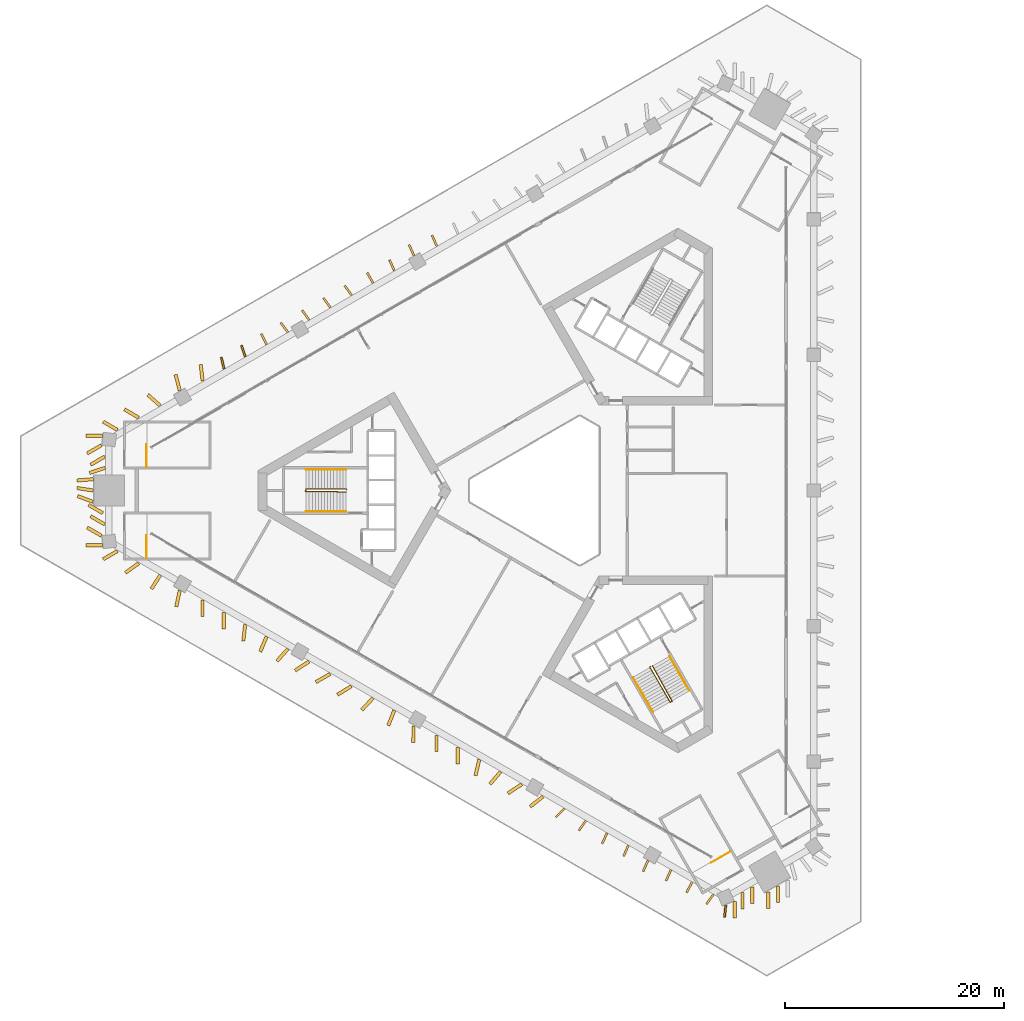
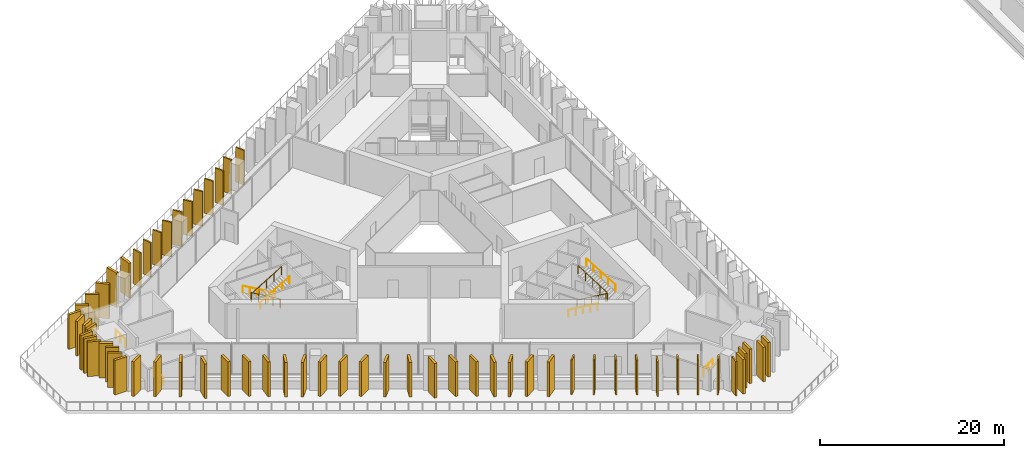
# One storey, part 28 of 31: 62 shading devices, 9 railings.
"""IFC4 building model written with IfcOpenShell, lengths in metres."""

import ifcopenshell
import ifcopenshell.guid

model = None  # the IFC model being written
_history = None  # IfcOwnerHistory: only IFC2X3 demands one
_inside = {}  # id of a spatial element -> (the spatial element, [elements in it])
_under = {}  # id of a project, library or spatial element -> (it, [spatial elements below it])
_declared = {}  # id of a project -> (the project, [libraries it declares])
_typed = {}  # id of a type object -> (the type object, [elements of that type])
_made_of = {}  # id of a material, layer set ... -> (it, [elements and type objects made of it])


def new_model(schema):
    """Start an empty IFC model of exactly this schema.

    Asked for "IFC4X3", IfcOpenShell would pick the latest addendum, in which some entities
    have other attributes; the version numbers below select the first issue.
    IFC2X3 requires an IfcOwnerHistory on every rooted entity: one is made here for all.
    """
    global model, _history
    if schema == "IFC4X3":
        model = ifcopenshell.file(schema_version=(4, 3, 0, 0))
    else:
        model = ifcopenshell.file(schema=schema)
    _inside.clear()
    _under.clear()
    _declared.clear()
    _typed.clear()
    _made_of.clear()
    _history = None
    if model.schema == "IFC2X3":
        org = make("IfcOrganization", Name="unknown")
        user = make(
            "IfcPersonAndOrganization",
            ThePerson=make("IfcPerson", FamilyName="unknown"),
            TheOrganization=org,
        )
        app = make(
            "IfcApplication",
            ApplicationDeveloper=org,
            Version="unknown",
            ApplicationFullName="unknown",
            ApplicationIdentifier="unknown",
        )
        _history = make(
            "IfcOwnerHistory",
            OwningUser=user,
            OwningApplication=app,
            ChangeAction="ADDED",
            CreationDate=0,
        )
    return model


def make(cls, **values):
    """One entity of the class cls with the attributes given. An attribute that is None is left unset."""
    return model.create_entity(
        cls, **{name: value for name, value in values.items() if value is not None}
    )


def rooted(cls, **values):
    """An entity with a GlobalId (a new one), such as an element, a storey or a relation."""
    return make(cls, GlobalId=ifcopenshell.guid.new(), OwnerHistory=_history, **values)


def si_unit(unit_type, name, prefix=None):
    """IfcSIUnit, for example si_unit("LENGTHUNIT", "METRE", prefix="MILLI")."""
    return make("IfcSIUnit", UnitType=unit_type, Prefix=prefix, Name=name)


def assignment(units):
    """IfcUnitAssignment: the units of a project."""
    return None if units is None else make("IfcUnitAssignment", Units=units)


def point(xyz):
    """IfcCartesianPoint."""
    return None if xyz is None else make("IfcCartesianPoint", Coordinates=xyz)


def direction(xyz):
    """IfcDirection."""
    return None if xyz is None else make("IfcDirection", DirectionRatios=xyz)


def frame(location, z_axis=None, x_axis=None):
    """IfcAxis2Placement3D, a coordinate frame: its origin and axes. An axis left out is left unset."""
    return make(
        "IfcAxis2Placement3D",
        Location=point(location),
        Axis=direction(z_axis),
        RefDirection=direction(x_axis),
    )


def frame_2d(location, x_axis=None):
    """IfcAxis2Placement2D, a coordinate frame in the plane: its origin and x axis."""
    return make(
        "IfcAxis2Placement2D", Location=point(location), RefDirection=direction(x_axis)
    )


def origin():
    """The frame at (0, 0, 0) with its axes left unset."""
    return frame((0.0, 0.0, 0.0))


def origin_2d():
    """The frame at (0, 0) in the plane with its x axis left unset."""
    return frame_2d((0.0, 0.0))


def place(relative_to, where):
    """IfcLocalPlacement: puts the frame where relative to a parent placement (None: the world)."""
    return make(
        "IfcLocalPlacement", PlacementRelTo=relative_to, RelativePlacement=where
    )


def context(
    kind, dimensions, precision=None, world=None, true_north=None, identifier=None
):
    """IfcGeometricRepresentationContext, for example the 3D "Model" context."""
    return make(
        "IfcGeometricRepresentationContext",
        ContextIdentifier=identifier,
        ContextType=kind,
        CoordinateSpaceDimension=dimensions,
        Precision=precision,
        WorldCoordinateSystem=world,
        TrueNorth=true_north,
    )


def subcontext(parent, identifier, kind, view, scale=None):
    """IfcGeometricRepresentationSubContext, for example "Body" below "Model"."""
    return make(
        "IfcGeometricRepresentationSubContext",
        ContextIdentifier=identifier,
        ContextType=kind,
        ParentContext=parent,
        TargetScale=scale,
        TargetView=view,
    )


def project(units=None, contexts=None):
    """IfcProject with its units and contexts."""
    return rooted(
        "IfcProject",
        Name="project",
        RepresentationContexts=contexts,
        UnitsInContext=assignment(units),
    )


def spatial(cls, under=None, at=None, **own):
    """A site, building, storey or space (cls), placed at a placement, below another one or the project."""
    s = rooted(cls, ObjectPlacement=at, **own)
    if under is not None:
        _under.setdefault(under.id(), (under, []))[1].append(s)
    return s


def profile(cls, at=None, kind="AREA", **sizes):
    """A parametric profile (cls). Its sizes go by their IFC names, for example OverallWidth=200.0."""
    return make(cls, ProfileType=kind, Position=at, **sizes)


def rectangle(**sizes):
    """IfcRectangleProfileDef."""
    return profile("IfcRectangleProfileDef", **sizes)


def circle(**sizes):
    """IfcCircleProfileDef."""
    return profile("IfcCircleProfileDef", **sizes)


def extrude(swept, where, along, depth):
    """IfcExtrudedAreaSolid: the profile swept, set in the frame where, extruded along a direction by depth."""
    return make(
        "IfcExtrudedAreaSolid",
        SweptArea=swept,
        Position=where,
        ExtrudedDirection=direction(along),
        Depth=depth,
    )


def shape(context_of_items, identifier, shape_type, items):
    """IfcShapeRepresentation: the items that make up one representation, for example the "Body"."""
    return make(
        "IfcShapeRepresentation",
        ContextOfItems=context_of_items,
        RepresentationIdentifier=identifier,
        RepresentationType=shape_type,
        Items=items,
    )


def material(Name=None, Category=None):
    """IfcMaterial."""
    return make("IfcMaterial", Name=Name, Category=Category)


def layer(
    of_material, thickness, ventilated=None, Name=None, Category=None, Priority=None
):
    """IfcMaterialLayer: one layer of a wall or slab, of a material (None: an air gap)."""
    return make(
        "IfcMaterialLayer",
        Material=of_material,
        LayerThickness=thickness,
        IsVentilated=ventilated,
        Name=Name,
        Category=Category,
        Priority=Priority,
    )


def layer_set(layers, Name=None):
    """IfcMaterialLayerSet."""
    return make("IfcMaterialLayerSet", MaterialLayers=layers, LayerSetName=Name)


def made_of(thing, what):
    """Note that an element or type object is made of a material, layer set ...; save() writes the relation."""
    if what is not None:
        _made_of.setdefault(what.id(), (what, []))[1].append(thing)
    return thing


def type_object(cls, material=None, **own):
    """A type object (cls), such as IfcWallType, which elements share."""
    return made_of(rooted(cls, **own), material)


def element(
    cls,
    number,
    at=None,
    inside=None,
    cuts=None,
    type_object=None,
    material=None,
    context=None,
    identifier="Body",
    shape_type=None,
    held_by="IfcProductDefinitionShape",
    body=None,
    shapes=None,
    **own,
):
    """One element of the class cls, such as IfcWall. Its Tag is "e" and its number.

    at: its placement. inside: the storey or other place that contains it. cuts: it is an
    opening in that element (IfcRelVoidsElement). A single representation is given by context,
    identifier, shape_type and body (its items); several are given by shapes. held_by: the class
    of the entity that holds the representations. save() writes the other relations.
    """
    e = rooted(cls, Tag="e%d" % number, ObjectPlacement=at, **own)
    if body is not None:
        shapes = [shape(context, identifier, shape_type, body)]
    if shapes is not None:
        e.Representation = make(held_by, Representations=shapes)
    if inside is not None:
        _inside.setdefault(inside.id(), (inside, []))[1].append(e)
    if cuts is not None:
        rooted(
            "IfcRelVoidsElement", RelatingBuildingElement=cuts, RelatedOpeningElement=e
        )
    if type_object is not None:
        _typed.setdefault(type_object.id(), (type_object, []))[1].append(e)
    return made_of(e, material)


def aggregate(whole, parts):
    """IfcRelAggregates: a whole, such as a stair, and the parts it consists of."""
    return rooted("IfcRelAggregates", RelatingObject=whole, RelatedObjects=parts)


def save(model, path):
    """Write the relations noted so far, then the file.

    IfcRelAggregates (storeys below a building ...), IfcRelContainedInSpatialStructure (elements
    in a storey), IfcRelDefinesByType, IfcRelAssociatesMaterial and IfcRelDeclares: one each for
    every whole, place, type object, material and project.
    """
    for whole, parts in _under.values():
        aggregate(whole, parts)
    for where, things in _inside.values():
        rooted(
            "IfcRelContainedInSpatialStructure",
            RelatedElements=things,
            RelatingStructure=where,
        )
    for kind, things in _typed.values():
        rooted("IfcRelDefinesByType", RelatedObjects=things, RelatingType=kind)
    for what, things in _made_of.values():
        rooted("IfcRelAssociatesMaterial", RelatedObjects=things, RelatingMaterial=what)
    for by, libraries in _declared.values():
        rooted("IfcRelDeclares", RelatingContext=by, RelatedDefinitions=libraries)
    model.write(path)


model = new_model("IFC4")

# Units and contexts
model_context = context("Model", 3, precision=1e-05, world=origin(), true_north=direction((0.0, 1.0)))
body_context = subcontext(model_context, "Body", "Model", "MODEL_VIEW")
ifc_project = project(units=[si_unit("LENGTHUNIT", "METRE"), si_unit("AREAUNIT", "SQUARE_METRE"), si_unit("VOLUMEUNIT", "CUBIC_METRE"), si_unit("PLANEANGLEUNIT", "RADIAN"), si_unit("MASSUNIT", "GRAM", prefix="KILO")], contexts=[model_context])

# Site, building, storey
site_placement = place(None, origin())
site = spatial("IfcSite", under=ifc_project, at=site_placement, CompositionType="ELEMENT")
building_placement = place(site_placement, origin())
building = spatial("IfcBuilding", under=site, at=building_placement, Name="Jabali Bay Hotel Tower and Convention Centre", CompositionType="ELEMENT")
storey_placement = place(building_placement, frame((0.0, 0.0, 25.39990234375)))
storey = spatial("IfcBuildingStorey", under=building, at=storey_placement, Name="L04", CompositionType="ELEMENT", Elevation=25.39990234375)

# Shading devices
ifc_material_1 = material(Name="Precast concrete C60", Category="concrete")
ifc_layer_1 = layer(ifc_material_1, 0.179931640625)
ifc_layer_set_1 = layer_set([ifc_layer_1], Name="Precast concrete C60")
shading_device_type_1 = type_object("IfcShadingDeviceType", Name="Precast fin 4580 x 1100", PredefinedType="USERDEFINED", material=ifc_layer_set_1)
shading_device_1_placement = place(storey_placement, frame((64.7197265625, 102.291015625, 0.010009765625), z_axis=(0.0, 0.0, 1.0), x_axis=(-0.406097286264, 0.913829849638, 0.0)))
element("IfcShadingDevice", 1, at=shading_device_1_placement, inside=storey, type_object=shading_device_type_1, Name="Fin L04 051", ObjectType="FIN", PredefinedType="USERDEFINED", context=body_context, shape_type="SweptSolid", body=[
    extrude(rectangle(XDim=1.10009765625, YDim=0.179931640625, at=frame_2d((0.550048828125, 0.0))), origin(), (0.0, 0.0, 1.0), 4.580078125),
])
for number, where, z_axis, x_axis, name in (
    (2, (62.6240234375, 101.43603515625, 0.010009765625), (0.0, 0.0, 1.0), (-0.40617965337, 0.913793242035, 0.0), "Fin L04 052"),
    (3, (60.83544921875, 100.048583984375, 0.010009765625), (0.0, 0.0, 1.0), (-0.40617965337, 0.913793242035, 0.0), "Fin L04 053"),
):
    element("IfcShadingDevice", number, at=place(storey_placement, frame(where, z_axis=z_axis, x_axis=x_axis)), inside=storey, type_object=shading_device_type_1, Name=name, ObjectType="FIN", PredefinedType="USERDEFINED", context=body_context, shape_type="SweptSolid", body=[
        extrude(rectangle(XDim=1.099853515625, YDim=0.179931640625, at=frame_2d((0.5498046875, 0.0))), origin(), (0.0, 0.0, 1.0), 4.580078125),
    ])
for number, where, z_axis, x_axis, name in (
    (4, (58.8974609375, 98.919921875, 0.010009765625), (0.0, 0.0, 1.0), (-0.489143919777, 0.872203087443, 0.0), "Fin L04 054"),
    (5, (56.951171875, 97.805908203125, 0.010009765625), (0.0, 0.0, 1.0), (-0.589042341197, 0.808102171929, 0.0), "Fin L04 055"),
):
    element("IfcShadingDevice", number, at=place(storey_placement, frame(where, z_axis=z_axis, x_axis=x_axis)), inside=storey, type_object=shading_device_type_1, Name=name, ObjectType="FIN", PredefinedType="USERDEFINED", context=body_context, shape_type="SweptSolid", body=[
        extrude(rectangle(XDim=1.10009765625, YDim=0.179931640625, at=frame_2d((0.550048828125, 0.0))), origin(), (0.0, 0.0, 1.0), 4.580078125),
    ])
for number, where, z_axis, x_axis, name in (
    (6, (55.0087890625, 96.684814453125, 0.010009765625), (0.0, 0.0, 1.0), (-0.590044417782, 0.807370785355, 0.0), "Fin L04 056"),
    (7, (53.066650390625, 95.563720703125, 0.010009765625), (0.0, 0.0, 1.0), (-0.592623473637, 0.805479620161, 0.0), "Fin L04 057"),
):
    element("IfcShadingDevice", number, at=place(storey_placement, frame(where, z_axis=z_axis, x_axis=x_axis)), inside=storey, type_object=shading_device_type_1, Name=name, ObjectType="FIN", PredefinedType="USERDEFINED", context=body_context, shape_type="SweptSolid", body=[
        extrude(rectangle(XDim=1.099853515625, YDim=0.179931640625, at=frame_2d((0.5498046875, 0.0))), origin(), (0.0, 0.0, 1.0), 4.580078125),
    ])
shading_device_2_placement = place(storey_placement, frame((51.1240234375, 94.44287109375, 0.010009765625), z_axis=(0.0, 0.0, 1.0), x_axis=(-0.598756490112, 0.800931124098, 0.0)))
element("IfcShadingDevice", 8, at=shading_device_2_placement, inside=storey, type_object=shading_device_type_1, Name="Fin L04 058", ObjectType="FIN", PredefinedType="USERDEFINED", context=body_context, shape_type="SweptSolid", body=[
    extrude(rectangle(XDim=1.10009765625, YDim=0.179931640625, at=frame_2d((0.550048828125, 0.0))), origin(), (0.0, 0.0, 1.0), 4.580078125),
])
shading_device_3_placement = place(storey_placement, frame((49.184814453125, 93.31640625, 0.010009765625), z_axis=(0.0, 0.0, 1.0), x_axis=(-0.455717173624, 0.890124630411, 0.0)))
element("IfcShadingDevice", 9, at=shading_device_3_placement, inside=storey, type_object=shading_device_type_1, Name="Fin L04 059", ObjectType="FIN", PredefinedType="USERDEFINED", context=body_context, shape_type="SweptSolid", body=[
    extrude(rectangle(XDim=1.099853515625, YDim=0.179931640625, at=frame_2d((0.5498046875, 0.0))), origin(), (0.0, 0.0, 1.0), 4.580078125),
])
for number, where, z_axis, x_axis, name in (
    (10, (47.236572265625, 92.205810546875, 0.010009765625), (0.0, 0.0, 1.0), (-0.327323968746, 0.94491217554, 0.0), "Fin L04 060"),
    (11, (45.2900390625, 91.092041015625, 0.010009765625), (0.0, 0.0, 1.0), (-0.230560383661, 0.973058019589, 0.0), "Fin L04 061"),
    (12, (76.365966796875, 50.968994140625, 0.010009765625), (0.0, 0.0, 1.0), (-0.706884804502, -0.70732868821, 0.0), "Fin L04 097"),
):
    element("IfcShadingDevice", number, at=place(storey_placement, frame(where, z_axis=z_axis, x_axis=x_axis)), inside=storey, type_object=shading_device_type_1, Name=name, ObjectType="FIN", PredefinedType="USERDEFINED", context=body_context, shape_type="SweptSolid", body=[
        extrude(rectangle(XDim=1.10009765625, YDim=0.179931640625, at=frame_2d((0.550048828125, 0.0))), origin(), (0.0, 0.0, 1.0), 4.580078125),
    ])
for number, where, z_axis, x_axis, name in (
    (13, (78.315673828125, 49.861083984375, 0.010009765625), (0.0, 0.0, 1.0), (-0.573358056773, -0.819304911943, 0.0), "Fin L04 098"),
    (14, (80.2578125, 48.739501953125, 0.010009765625), (0.0, 0.0, 1.0), (-0.420198038851, -0.907432426215, 0.0), "Fin L04 099"),
    (15, (82.19873046875, 47.6162109375, 0.010009765625), (0.0, 0.0, 1.0), (-0.396703900306, -0.917946629975, 0.0), "Fin L04 100"),
):
    element("IfcShadingDevice", number, at=place(storey_placement, frame(where, z_axis=z_axis, x_axis=x_axis)), inside=storey, type_object=shading_device_type_1, Name=name, ObjectType="FIN", PredefinedType="USERDEFINED", context=body_context, shape_type="SweptSolid", body=[
        extrude(rectangle(XDim=1.099853515625, YDim=0.179931640625, at=frame_2d((0.5498046875, 0.0))), origin(), (0.0, 0.0, 1.0), 4.580078125),
    ])
shading_device_4_placement = place(storey_placement, frame((83.987548828125, 46.229248046875, 0.010009765625), z_axis=(0.0, 0.0, 1.0), x_axis=(-0.402366707365, -0.915478581292, 0.0)))
element("IfcShadingDevice", 16, at=shading_device_4_placement, inside=storey, type_object=shading_device_type_1, Name="Fin L04 101", ObjectType="FIN", PredefinedType="USERDEFINED", context=body_context, shape_type="SweptSolid", body=[
    extrude(rectangle(XDim=1.10009765625, YDim=0.179931640625, at=frame_2d((0.550048828125, 0.0))), origin(), (0.0, 0.0, 1.0), 4.580078125),
])
shading_device_5_placement = place(storey_placement, frame((86.08349609375, 45.374267578125, 0.010009765625), z_axis=(0.0, 0.0, 1.0), x_axis=(-0.40444888811, -0.91456060319, 0.0)))
element("IfcShadingDevice", 17, at=shading_device_5_placement, inside=storey, type_object=shading_device_type_1, Name="Fin L04 102", ObjectType="FIN", PredefinedType="USERDEFINED", context=body_context, shape_type="SweptSolid", body=[
    extrude(rectangle(XDim=1.099853515625, YDim=0.179931640625, at=frame_2d((0.5498046875, 0.0))), origin(), (0.0, 0.0, 1.0), 4.580078125),
])
for number, where, z_axis, x_axis, name in (
    (18, (88.029541015625, 44.259765625, 0.010009765625), (0.0, 0.0, 1.0), (-0.480887644932, -0.87678222664, 0.0), "Fin L04 103"),
    (19, (89.968017578125, 43.1318359375, 0.010009765625), (0.0, 0.0, 1.0), (-0.588541108925, -0.808467292539, 0.0), "Fin L04 104"),
    (20, (91.090087890625, 42.131103515625, 0.010009765625), (0.0, 0.0, 1.0), (-0.105412536189, -0.994428578237, 0.0), "Fin L04 119"),
):
    element("IfcShadingDevice", number, at=place(storey_placement, frame(where, z_axis=z_axis, x_axis=x_axis)), inside=storey, type_object=shading_device_type_1, Name=name, ObjectType="FIN", PredefinedType="USERDEFINED", context=body_context, shape_type="SweptSolid", body=[
        extrude(rectangle(XDim=1.10009765625, YDim=0.179931640625, at=frame_2d((0.550048828125, 0.0))), origin(), (0.0, 0.0, 1.0), 4.580078125),
    ])
ifc_layer_2 = layer(ifc_material_1, 0.300048828125)
ifc_layer_set_2 = layer_set([ifc_layer_2], Name="Precast concrete C60")
shading_device_type_2 = type_object("IfcShadingDeviceType", Name="Precast fin 4580 x 1500", PredefinedType="USERDEFINED", material=ifc_layer_set_2)
shading_device_6_placement = place(storey_placement, frame((43.330810546875, 90.000244140625, 0.010009765625), z_axis=(0.0, 0.0, 1.0), x_axis=(-0.114111265135, 0.993467975915, 0.0)))
element("IfcShadingDevice", 21, at=shading_device_6_placement, inside=storey, type_object=shading_device_type_2, Name="Fin L04 062", ObjectType="FIN", PredefinedType="USERDEFINED", context=body_context, shape_type="SweptSolid", body=[
    extrude(rectangle(XDim=1.499755859375, YDim=0.300048828125, at=frame_2d((0.75, 0.0))), origin(), (0.0, 0.0, 1.0), 4.580078125),
])
shading_device_7_placement = place(storey_placement, frame((41.2451171875, 89.127685546875, 0.010009765625), z_axis=(0.0, 0.0, 1.0), x_axis=(-0.254733649943, 0.96701125515, 0.0)))
element("IfcShadingDevice", 22, at=shading_device_7_placement, inside=storey, type_object=shading_device_type_2, Name="Fin L04 063", ObjectType="FIN", PredefinedType="USERDEFINED", context=body_context, shape_type="SweptSolid", body=[
    extrude(rectangle(XDim=1.5, YDim=0.300048828125, at=frame_2d((0.75, 0.0))), origin(), (0.0, 0.0, 1.0), 4.580078125),
])
for number, where, z_axis, x_axis, name in (
    (23, (39.45263671875, 87.746826171875, 0.010009765625), (0.0, 0.0, 1.0), (-0.747624815683, 0.664121325493, 0.0), "Fin L04 064"),
    (24, (37.496826171875, 86.649169921875, 0.010009765625), (0.0, 0.0, 1.0), (-0.864197780978, 0.503152258618, 0.0), "Fin L04 065"),
):
    element("IfcShadingDevice", number, at=place(storey_placement, frame(where, z_axis=z_axis, x_axis=x_axis)), inside=storey, type_object=shading_device_type_2, Name=name, ObjectType="FIN", PredefinedType="USERDEFINED", context=body_context, shape_type="SweptSolid", body=[
        extrude(rectangle(XDim=1.499755859375, YDim=0.300048828125, at=frame_2d((0.75, 0.0))), origin(), (0.0, 0.0, 1.0), 4.580078125),
    ])
for number, where, z_axis, x_axis, name in (
    (25, (35.5546875, 85.528076171875, 0.010009765625), (0.0, 0.0, 1.0), (-0.865556261529, 0.500811699272, 0.0), "Fin L04 066"),
    (26, (34.096435546875, 84.1328125, 0.010009765625), (0.0, 0.0, 1.0), (-0.866031096941, -0.499990139034, 0.0), "Fin L04 067"),
):
    element("IfcShadingDevice", number, at=place(storey_placement, frame(where, z_axis=z_axis, x_axis=x_axis)), inside=storey, type_object=shading_device_type_2, Name=name, ObjectType="FIN", PredefinedType="USERDEFINED", context=body_context, shape_type="SweptSolid", body=[
        extrude(rectangle(XDim=1.5, YDim=0.300048828125, at=frame_2d((0.75, 0.0))), origin(), (0.0, 0.0, 1.0), 4.580078125),
    ])
shading_device_8_placement = place(storey_placement, frame((34.4052734375, 83.099609375, 0.010009765625), z_axis=(0.0, 0.0, 1.0), x_axis=(-0.86599040064, -0.500060622324, 0.0)))
element("IfcShadingDevice", 27, at=shading_device_8_placement, inside=storey, type_object=shading_device_type_2, Name="Fin L04 068", ObjectType="FIN", PredefinedType="USERDEFINED", context=body_context, shape_type="SweptSolid", body=[
    extrude(rectangle(XDim=1.499755859375, YDim=0.300048828125, at=frame_2d((0.75, 0.0))), origin(), (0.0, 0.0, 1.0), 4.580078125),
])
for number, where, z_axis, x_axis, name in (
    (28, (34.43408203125, 82.06640625, 0.010009765625), (0.0, 0.0, 1.0), (-0.951239600379, -0.308452950499, 0.0), "Fin L04 069"),
    (29, (33.35595703125, 81.033203125, 0.010009765625), (0.0, 0.0, 1.0), (-0.996801289368, -0.079919894363, 0.0), "Fin L04 070"),
):
    element("IfcShadingDevice", number, at=place(storey_placement, frame(where, z_axis=z_axis, x_axis=x_axis)), inside=storey, type_object=shading_device_type_2, Name=name, ObjectType="FIN", PredefinedType="USERDEFINED", context=body_context, shape_type="SweptSolid", body=[
        extrude(rectangle(XDim=1.5, YDim=0.300048828125, at=frame_2d((0.75, 0.0))), origin(), (0.0, 0.0, 1.0), 4.580078125),
    ])
shading_device_9_placement = place(storey_placement, frame((33.345458984375, 80.0, 0.010009765625), z_axis=(0.0, 0.0, 1.0), x_axis=(-0.988698694425, 0.149916282115, 0.0)))
element("IfcShadingDevice", 30, at=shading_device_9_placement, inside=storey, type_object=shading_device_type_2, Name="Fin L04 071", ObjectType="FIN", PredefinedType="USERDEFINED", context=body_context, shape_type="SweptSolid", body=[
    extrude(rectangle(XDim=1.499755859375, YDim=0.300048828125, at=frame_2d((0.75, 0.0))), origin(), (0.0, 0.0, 1.0), 4.580078125),
])
for number, where, z_axis, x_axis, name in (
    (31, (33.3154296875, 78.966796875, 0.010009765625), (0.0, 0.0, 1.0), (-0.936529689531, 0.350588277937, 0.0), "Fin L04 072"),
    (32, (34.22216796875, 77.93359375, 0.010009765625), (0.0, 0.0, 1.0), (-0.866031096941, 0.499990139034, 0.0), "Fin L04 073"),
):
    element("IfcShadingDevice", number, at=place(storey_placement, frame(where, z_axis=z_axis, x_axis=x_axis)), inside=storey, type_object=shading_device_type_2, Name=name, ObjectType="FIN", PredefinedType="USERDEFINED", context=body_context, shape_type="SweptSolid", body=[
        extrude(rectangle(XDim=1.5, YDim=0.300048828125, at=frame_2d((0.75, 0.0))), origin(), (0.0, 0.0, 1.0), 4.580078125),
    ])
shading_device_10_placement = place(storey_placement, frame((34.4052734375, 76.900390625, 0.010009765625), z_axis=(0.0, 0.0, 1.0), x_axis=(-0.86599040064, 0.500060622324, 0.0)))
element("IfcShadingDevice", 33, at=shading_device_10_placement, inside=storey, type_object=shading_device_type_2, Name="Fin L04 074", ObjectType="FIN", PredefinedType="USERDEFINED", context=body_context, shape_type="SweptSolid", body=[
    extrude(rectangle(XDim=1.499755859375, YDim=0.300048828125, at=frame_2d((0.75, 0.0))), origin(), (0.0, 0.0, 1.0), 4.580078125),
])
for number, where, z_axis, x_axis, name in (
    (34, (34.096435546875, 75.8671875, 0.010009765625), (0.0, 0.0, 1.0), (-0.866031096941, 0.499990139034, 0.0), "Fin L04 075"),
    (35, (35.554443359375, 74.471923828125, 0.010009765625), (0.0, 0.0, 1.0), (-0.866031096941, -0.499990139034, 0.0), "Fin L04 076"),
    (36, (37.50341796875, 73.362060546875, 0.010009765625), (0.0, 0.0, 1.0), (-0.811738055782, -0.58402168521, 0.0), "Fin L04 077"),
):
    element("IfcShadingDevice", number, at=place(storey_placement, frame(where, z_axis=z_axis, x_axis=x_axis)), inside=storey, type_object=shading_device_type_2, Name=name, ObjectType="FIN", PredefinedType="USERDEFINED", context=body_context, shape_type="SweptSolid", body=[
        extrude(rectangle(XDim=1.5, YDim=0.300048828125, at=frame_2d((0.75, 0.0))), origin(), (0.0, 0.0, 1.0), 4.580078125),
    ])
shading_device_11_placement = place(storey_placement, frame((39.472900390625, 72.2880859375, 0.010009765625), z_axis=(0.0, 0.0, 1.0), x_axis=(-0.540461452214, -0.841368776858, 0.0)))
element("IfcShadingDevice", 37, at=shading_device_11_placement, inside=storey, type_object=shading_device_type_2, Name="Fin L04 078", ObjectType="FIN", PredefinedType="USERDEFINED", context=body_context, shape_type="SweptSolid", body=[
    extrude(rectangle(XDim=1.500244140625, YDim=0.300048828125, at=frame_2d((0.75, 0.0))), origin(), (0.0, 0.0, 1.0), 4.580078125),
])
for number, where, z_axis, x_axis, name in (
    (38, (41.24169921875, 70.866455078125, 0.010009765625), (0.0, 0.0, 1.0), (-0.208183847917, -0.978089712381, 0.0), "Fin L04 079"),
    (39, (43.3232421875, 69.986572265625, 0.010009765625), (0.0, 0.0, 1.0), (0.0, -1.0, 0.0), "Fin L04 080"),
    (40, (45.265380859375, 68.865234375, 0.010009765625), (0.0, 0.0, 1.0), (0.0, -1.0, 0.0), "Fin L04 081"),
    (41, (47.21484375, 67.7568359375, 0.010009765625), (0.0, 0.0, 1.0), (-0.110181444005, -0.99391148972, 0.0), "Fin L04 082"),
    (42, (49.177978515625, 66.671630859375, 0.010009765625), (0.0, 0.0, 1.0), (-0.390144356608, -0.920753702684, 0.0), "Fin L04 083"),
    (43, (51.114013671875, 65.539794921875, 0.010009765625), (0.0, 0.0, 1.0), (-0.666361790821, -0.745628569553, 0.0), "Fin L04 084"),
):
    element("IfcShadingDevice", number, at=place(storey_placement, frame(where, z_axis=z_axis, x_axis=x_axis)), inside=storey, type_object=shading_device_type_2, Name=name, ObjectType="FIN", PredefinedType="USERDEFINED", context=body_context, shape_type="SweptSolid", body=[
        extrude(rectangle(XDim=1.5, YDim=0.300048828125, at=frame_2d((0.75, 0.0))), origin(), (0.0, 0.0, 1.0), 4.580078125),
    ])
shading_device_12_placement = place(storey_placement, frame((53.03759765625, 64.38623046875, 0.010009765625), z_axis=(0.0, 0.0, 1.0), x_axis=(-0.838108826778, -0.545503065507, 0.0)))
element("IfcShadingDevice", 44, at=shading_device_12_placement, inside=storey, type_object=shading_device_type_2, Name="Fin L04 085", ObjectType="FIN", PredefinedType="USERDEFINED", context=body_context, shape_type="SweptSolid", body=[
    extrude(rectangle(XDim=1.500244140625, YDim=0.300048828125, at=frame_2d((0.75, 0.0))), origin(), (0.0, 0.0, 1.0), 4.580078125),
])
shading_device_13_placement = place(storey_placement, frame((54.97607421875, 63.2587890625, 0.010009765625), z_axis=(0.0, 0.0, 1.0), x_axis=(-0.86599040064, -0.500060622324, 0.0)))
element("IfcShadingDevice", 45, at=shading_device_13_placement, inside=storey, type_object=shading_device_type_2, Name="Fin L04 086", ObjectType="FIN", PredefinedType="USERDEFINED", context=body_context, shape_type="SweptSolid", body=[
    extrude(rectangle(XDim=1.499755859375, YDim=0.300048828125, at=frame_2d((0.75, 0.0))), origin(), (0.0, 0.0, 1.0), 4.580078125),
])
for number, where, z_axis, x_axis, name in (
    (46, (56.919921875, 62.14013671875, 0.010009765625), (0.0, 0.0, 1.0), (-0.853780295742, -0.520633466656, 0.0), "Fin L04 087"),
    (47, (58.881103515625, 61.051513671875, 0.010009765625), (0.0, 0.0, 1.0), (-0.683702892117, -0.729760478041, 0.0), "Fin L04 088"),
    (48, (60.8291015625, 59.9404296875, 0.010009765625), (0.0, 0.0, 1.0), (-0.365884001547, -0.930660463011, 0.0), "Fin L04 089"),
    (49, (62.59228515625, 58.50927734375, 0.010009765625), (0.0, 0.0, 1.0), (-0.018229104613, -0.999833836067, 0.0), "Fin L04 090"),
    (50, (64.68701171875, 57.652099609375, 0.010009765625), (0.0, 0.0, 1.0), (-0.000325520816, -0.999999947018, 0.0), "Fin L04 091"),
    (51, (66.62939453125, 56.531005859375, 0.010009765625), (0.0, 0.0, 1.0), (-0.001464842178, -0.999998927118, 0.0), "Fin L04 092"),
    (52, (68.587158203125, 55.43701171875, 0.010009765625), (0.0, 0.0, 1.0), (-0.228685503791, -0.973500354574, 0.0), "Fin L04 093"),
    (53, (70.536865234375, 54.328857421875, 0.010009765625), (0.0, 0.0, 1.0), (-0.653535108512, -0.756896202885, 0.0), "Fin L04 094"),
    (54, (72.459228515625, 53.173095703125, 0.010009765625), (0.0, 0.0, 1.0), (-0.83761707306, -0.546257850212, 0.0), "Fin L04 095"),
    (55, (74.407470703125, 52.062255859375, 0.010009765625), (0.0, 0.0, 1.0), (-0.786724782316, -0.617303909666, 0.0), "Fin L04 096"),
    (56, (91.89892578125, 42.464599609375, 0.010009765625), (0.0, 0.0, 1.0), (0.0, -1.0, 0.0), "Fin L04 105"),
    (57, (92.613037109375, 43.294189453125, 0.010009765625), (0.0, 0.0, 1.0), (0.0, -1.0, 0.0), "Fin L04 106"),
    (58, (93.5078125, 43.810791015625, 0.010009765625), (0.0, 0.0, 1.0), (0.0, -1.0, 0.0), "Fin L04 107"),
    (59, (94.958740234375, 43.364013671875, 0.010009765625), (0.0, 0.0, 1.0), (0.0, -1.0, 0.0), "Fin L04 108"),
    (60, (95.853515625, 43.880615234375, 0.010009765625), (0.0, 0.0, 1.0), (0.0, -1.0, 0.0), "Fin L04 109"),
    (61, (34.18505859375, 84.9853515625, 0.010009765625), (0.0, 0.0, 1.0), (-0.999999788072, 0.000651041529, 0.0), "Fin L04 117"),
    (62, (34.18505859375, 75.0146484375, 0.010009765625), (0.0, 0.0, 1.0), (-1.0, 0.0, 0.0), "Fin L04 118"),
):
    element("IfcShadingDevice", number, at=place(storey_placement, frame(where, z_axis=z_axis, x_axis=x_axis)), inside=storey, type_object=shading_device_type_2, Name=name, ObjectType="FIN", PredefinedType="USERDEFINED", context=body_context, shape_type="SweptSolid", body=[
        extrude(rectangle(XDim=1.5, YDim=0.300048828125, at=frame_2d((0.75, 0.0))), origin(), (0.0, 0.0, 1.0), 4.580078125),
    ])

# Railings
ifc_material_2 = material(Name="Steel Q355B", Category="steel")
railing_type_1 = type_object("IfcRailingType", Name="Stair guard 1100", PredefinedType="GUARDRAIL", material=ifc_material_2)
railing_1_placement = place(storey_placement, frame((56.469970703125, 80.074951171875, 0.0)))
element("IfcRailing", 63, at=railing_1_placement, inside=storey, type_object=railing_type_1, Name="L04 ST1 stair guard 1", PredefinedType="GUARDRAIL", context=body_context, shape_type="SweptSolid", body=[
    extrude(circle(Radius=0.02392578125, at=origin_2d()), frame((0.0, 0.0, 1.076171875), z_axis=(-0.279753294814, 0.279753294814, 0.91840959712), x_axis=(-0.707106781187, -0.707106781187, 0.0)), (0.0, 0.0, 1.0), 0.178955078125),
    extrude(circle(Radius=0.02392578125, at=origin_2d()), frame((-0.050048828125, 0.050048828125, 1.240234375), z_axis=(-0.862489892076, 0.0, 0.506074289079), x_axis=(0.0, -1.0, 0.0)), (0.0, 0.0, 1.0), 4.22021484375),
    extrude(circle(Radius=0.02392578125, at=origin_2d()), frame((-3.68994140625, 0.050048828125, 3.3759765625), z_axis=(-0.242814311512, -0.970072785993, 0.0), x_axis=(0.970072785993, -0.242814311512, 0.0)), (0.0, 0.0, 1.0), 0.2060546875),
    extrude(circle(Radius=0.02392578125, at=origin_2d()), frame((-3.739990234375, -0.14990234375, 3.3759765625), z_axis=(0.848578673628, -0.011509767639, 0.528944004516), x_axis=(0.013562335953, 0.999908027292, 0.0)), (0.0, 0.0, 1.0), 4.348388671875),
    extrude(circle(Radius=0.02099609375, at=origin_2d()), origin(), (0.0, 0.0, 1.0), 1.052001953125),
    extrude(circle(Radius=0.02099609375, at=origin_2d()), frame((-0.050048828125, 0.050048828125, 0.164306640625)), (0.0, 0.0, 1.0), 1.052001953125),
    extrude(circle(Radius=0.02099609375, at=origin_2d()), frame((-0.9599609375, 0.050048828125, 0.6982421875)), (0.0, 0.0, 1.0), 1.052001953125),
    extrude(circle(Radius=0.02099609375, at=origin_2d()), frame((-1.8701171875, 0.050048828125, 1.232177734375)), (0.0, 0.0, 1.0), 1.052001953125),
    extrude(circle(Radius=0.02099609375, at=origin_2d()), frame((-2.780029296875, 0.050048828125, 1.76611328125)), (0.0, 0.0, 1.0), 1.052001953125),
    extrude(circle(Radius=0.02099609375, at=origin_2d()), frame((-3.68994140625, 0.050048828125, 2.300048828125)), (0.0, 0.0, 1.0), 1.052001953125),
    extrude(circle(Radius=0.02099609375, at=origin_2d()), frame((-3.739990234375, -0.14990234375, 2.300048828125)), (0.0, 0.0, 1.0), 1.052001953125),
    extrude(circle(Radius=0.02099609375, at=origin_2d()), frame((-2.8173828125, -0.162353515625, 2.875)), (0.0, 0.0, 1.0), 1.052001953125),
    extrude(circle(Radius=0.02099609375, at=origin_2d()), frame((-1.89501953125, -0.1748046875, 3.4501953125)), (0.0, 0.0, 1.0), 1.052001953125),
    extrude(circle(Radius=0.02099609375, at=origin_2d()), frame((-0.97265625, -0.1875, 4.025146484375)), (0.0, 0.0, 1.0), 1.052001953125),
    extrude(circle(Radius=0.02099609375, at=origin_2d()), frame((-0.050048828125, -0.199951171875, 4.60009765625)), (0.0, 0.0, 1.0), 1.052001953125),
])
railing_2_placement = place(storey_placement, frame((84.199951171875, 63.9150390625, 0.0)))
element("IfcRailing", 64, at=railing_2_placement, inside=storey, type_object=railing_type_1, Name="L04 ST3 stair guard 1", PredefinedType="GUARDRAIL", context=body_context, shape_type="SweptSolid", body=[
    extrude(circle(Radius=0.02392578125, at=origin_2d()), frame((0.0, 0.0, 1.076171875), z_axis=(-0.102351148992, -0.382110956236, 0.918430976952), x_axis=(0.965948051503, -0.258736085224, 0.0)), (0.0, 0.0, 1.0), 0.178955078125),
    extrude(circle(Radius=0.02392578125, at=origin_2d()), frame((-0.018310546875, -0.068359375, 1.240234375), z_axis=(0.431260529703, -0.746939766535, 0.506058633647), x_axis=(0.866018046521, 0.500012742938, 0.0)), (0.0, 0.0, 1.0), 4.220458984375),
    extrude(circle(Radius=0.02392578125, at=origin_2d()), frame((1.8017578125, -3.220703125, 3.3759765625), z_axis=(0.96121063429, 0.275815366736, 0.0), x_axis=(-0.275815366736, 0.96121063429, 0.0)), (0.0, 0.0, 1.0), 0.206298828125),
    extrude(circle(Radius=0.02392578125, at=origin_2d()), frame((2.0, -3.163818359375, 3.3759765625), z_axis=(-0.414356951149, 0.740620940732, 0.528950790891), x_axis=(-0.872702246529, -0.488252792008, 0.0)), (0.0, 0.0, 1.0), 4.348388671875),
    extrude(circle(Radius=0.02099609375, at=origin_2d()), origin(), (0.0, 0.0, 1.0), 1.052001953125),
    extrude(circle(Radius=0.02099609375, at=origin_2d()), frame((-0.018310546875, -0.068359375, 0.164306640625)), (0.0, 0.0, 1.0), 1.052001953125),
    extrude(circle(Radius=0.02099609375, at=origin_2d()), frame((0.436767578125, -0.8564453125, 0.6982421875)), (0.0, 0.0, 1.0), 1.052001953125),
    extrude(circle(Radius=0.02099609375, at=origin_2d()), frame((0.8916015625, -1.64453125, 1.232177734375)), (0.0, 0.0, 1.0), 1.052001953125),
    extrude(circle(Radius=0.02099609375, at=origin_2d()), frame((1.3466796875, -2.4326171875, 1.76611328125)), (0.0, 0.0, 1.0), 1.052001953125),
    extrude(circle(Radius=0.02099609375, at=origin_2d()), frame((1.8017578125, -3.220703125, 2.300048828125)), (0.0, 0.0, 1.0), 1.052001953125),
    extrude(circle(Radius=0.02099609375, at=origin_2d()), frame((2.0, -3.163818359375, 2.300048828125)), (0.0, 0.0, 1.0), 1.052001953125),
    extrude(circle(Radius=0.02099609375, at=origin_2d()), frame((1.549560546875, -2.358642578125, 2.875)), (0.0, 0.0, 1.0), 1.052001953125),
    extrude(circle(Radius=0.02099609375, at=origin_2d()), frame((1.09912109375, -1.5537109375, 3.4501953125)), (0.0, 0.0, 1.0), 1.052001953125),
    extrude(circle(Radius=0.02099609375, at=origin_2d()), frame((0.648681640625, -0.74853515625, 4.025146484375)), (0.0, 0.0, 1.0), 1.052001953125),
    extrude(circle(Radius=0.02099609375, at=origin_2d()), frame((0.1982421875, 0.056640625, 4.60009765625)), (0.0, 0.0, 1.0), 1.052001953125),
])
railing_3_placement = place(storey_placement, frame((38.199951171875, 73.85009765625, 0.0)))
element("IfcRailing", 65, at=railing_3_placement, inside=storey, type_object=railing_type_1, Name="L04 PS1 top well guard 1", PredefinedType="GUARDRAIL", context=body_context, shape_type="SweptSolid", body=[
    extrude(circle(Radius=0.02392578125, at=origin_2d()), frame((0.0, 0.0, 1.076171875), z_axis=(0.0, 1.0, 0.0), x_axis=(-1.0, 0.0, 0.0)), (0.0, 0.0, 1.0), 2.0498046875),
    extrude(circle(Radius=0.02099609375, at=origin_2d()), origin(), (0.0, 0.0, 1.0), 1.052001953125),
    extrude(circle(Radius=0.02099609375, at=origin_2d()), frame((0.0, 1.02490234375, 0.0)), (0.0, 0.0, 1.0), 1.052001953125),
    extrude(circle(Radius=0.02099609375, at=origin_2d()), frame((0.0, 2.0498046875, 0.0)), (0.0, 0.0, 1.0), 1.052001953125),
])
railing_4_placement = place(storey_placement, frame((38.199951171875, 82.14990234375, 0.0)))
element("IfcRailing", 66, at=railing_4_placement, inside=storey, type_object=railing_type_1, Name="L04 PS2 top well guard 1", PredefinedType="GUARDRAIL", context=body_context, shape_type="SweptSolid", body=[
    extrude(circle(Radius=0.02392578125, at=origin_2d()), frame((0.0, 0.0, 1.076171875), z_axis=(0.0, 1.0, 0.0), x_axis=(-1.0, 0.0, 0.0)), (0.0, 0.0, 1.0), 2.050048828125),
    extrude(circle(Radius=0.02099609375, at=origin_2d()), origin(), (0.0, 0.0, 1.0), 1.052001953125),
    extrude(circle(Radius=0.02099609375, at=origin_2d()), frame((0.0, 1.02490234375, 0.0)), (0.0, 0.0, 1.0), 1.052001953125),
    extrude(circle(Radius=0.02099609375, at=origin_2d()), frame((0.0, 2.050048828125, 0.0)), (0.0, 0.0, 1.0), 1.052001953125),
])
railing_5_placement = place(storey_placement, frame((91.5380859375, 47.05517578125, 0.0)))
element("IfcRailing", 67, at=railing_5_placement, inside=storey, type_object=railing_type_1, Name="L04 PS6 top well guard 1", PredefinedType="GUARDRAIL", context=body_context, shape_type="SweptSolid", body=[
    extrude(circle(Radius=0.02392578125, at=origin_2d()), frame((0.0, 0.0, 1.076171875), z_axis=(-0.866050731258, -0.499956128963, 0.0), x_axis=(0.499956128963, -0.866050731258, 0.0)), (0.0, 0.0, 1.0), 2.050048828125),
    extrude(circle(Radius=0.02099609375, at=origin_2d()), origin(), (0.0, 0.0, 1.0), 1.052001953125),
    extrude(circle(Radius=0.02099609375, at=origin_2d()), frame((-0.8876953125, -0.512451171875, 0.0)), (0.0, 0.0, 1.0), 1.052001953125),
    extrude(circle(Radius=0.02099609375, at=origin_2d()), frame((-1.775390625, -1.02490234375, 0.0)), (0.0, 0.0, 1.0), 1.052001953125),
])
railing_type_2 = type_object("IfcRailingType", Name="Stair handrail 900", PredefinedType="HANDRAIL", material=ifc_material_2)
railing_6_placement = place(storey_placement, frame((56.419921875, 81.925048828125, 0.164306640625)))
element("IfcRailing", 68, at=railing_6_placement, inside=storey, type_object=railing_type_2, Name="L04 ST1 stair handrail 1", PredefinedType="HANDRAIL", context=body_context, shape_type="SweptSolid", body=[
    extrude(circle(Radius=0.02392578125, at=origin_2d()), frame((0.0, 0.0, 0.8759765625), z_axis=(-0.862489892076, 0.0, 0.506074289079), x_axis=(0.0, -1.0, 0.0)), (0.0, 0.0, 1.0), 4.22021484375),
    extrude(circle(Radius=0.02099609375, at=origin_2d()), origin(), (0.0, 0.0, 1.0), 0.851806640625),
    extrude(circle(Radius=0.02099609375, at=origin_2d()), frame((-0.909912109375, 0.0, 0.533935546875)), (0.0, 0.0, 1.0), 0.851806640625),
    extrude(circle(Radius=0.02099609375, at=origin_2d()), frame((-1.81982421875, 0.0, 1.06787109375)), (0.0, 0.0, 1.0), 0.851806640625),
    extrude(circle(Radius=0.02099609375, at=origin_2d()), frame((-2.72998046875, 0.0, 1.601806640625)), (0.0, 0.0, 1.0), 0.851806640625),
    extrude(circle(Radius=0.02099609375, at=origin_2d()), frame((-3.639892578125, 0.0, 2.1357421875)), (0.0, 0.0, 1.0), 0.851806640625),
])
railing_7_placement = place(storey_placement, frame((52.780029296875, 78.074951171875, 2.46435546875)))
element("IfcRailing", 69, at=railing_7_placement, inside=storey, type_object=railing_type_2, Name="L04 ST1 stair handrail 2", PredefinedType="HANDRAIL", context=body_context, shape_type="SweptSolid", body=[
    extrude(circle(Radius=0.02392578125, at=origin_2d()), frame((0.0, 0.0, 0.8759765625), z_axis=(0.862489892076, 0.0, 0.506074289079), x_axis=(0.0, 1.0, 0.0)), (0.0, 0.0, 1.0), 4.22021484375),
    extrude(circle(Radius=0.02099609375, at=origin_2d()), origin(), (0.0, 0.0, 1.0), 0.851806640625),
    extrude(circle(Radius=0.02099609375, at=origin_2d()), frame((0.909912109375, 0.0, 0.533935546875)), (0.0, 0.0, 1.0), 0.851806640625),
    extrude(circle(Radius=0.02099609375, at=origin_2d()), frame((1.81982421875, 0.0, 1.06787109375)), (0.0, 0.0, 1.0), 0.851806640625),
    extrude(circle(Radius=0.02099609375, at=origin_2d()), frame((2.72998046875, 0.0, 1.601806640625)), (0.0, 0.0, 1.0), 0.851806640625),
    extrude(circle(Radius=0.02099609375, at=origin_2d()), frame((3.639892578125, 0.0, 2.1357421875)), (0.0, 0.0, 1.0), 0.851806640625),
])
railing_8_placement = place(storey_placement, frame((82.622802734375, 62.94677734375, 0.164306640625)))
element("IfcRailing", 70, at=railing_8_placement, inside=storey, type_object=railing_type_2, Name="L04 ST3 stair handrail 1", PredefinedType="HANDRAIL", context=body_context, shape_type="SweptSolid", body=[
    extrude(circle(Radius=0.02392578125, at=origin_2d()), frame((0.0, 0.0, 0.8759765625), z_axis=(0.431260529703, -0.746939766535, 0.506058633647), x_axis=(0.866018046521, 0.500012742938, 0.0)), (0.0, 0.0, 1.0), 4.220458984375),
    extrude(circle(Radius=0.02099609375, at=origin_2d()), origin(), (0.0, 0.0, 1.0), 0.851806640625),
    extrude(circle(Radius=0.02099609375, at=origin_2d()), frame((0.455078125, -0.7880859375, 0.533935546875)), (0.0, 0.0, 1.0), 0.851806640625),
    extrude(circle(Radius=0.02099609375, at=origin_2d()), frame((0.91015625, -1.576171875, 1.06787109375)), (0.0, 0.0, 1.0), 0.851806640625),
    extrude(circle(Radius=0.02099609375, at=origin_2d()), frame((1.364990234375, -2.3642578125, 1.601806640625)), (0.0, 0.0, 1.0), 0.851806640625),
    extrude(circle(Radius=0.02099609375, at=origin_2d()), frame((1.820068359375, -3.15234375, 2.1357421875)), (0.0, 0.0, 1.0), 0.851806640625),
])
railing_9_placement = place(storey_placement, frame((87.777099609375, 61.719482421875, 2.46435546875)))
element("IfcRailing", 71, at=railing_9_placement, inside=storey, type_object=railing_type_2, Name="L04 ST3 stair handrail 2", PredefinedType="HANDRAIL", context=body_context, shape_type="SweptSolid", body=[
    extrude(circle(Radius=0.02392578125, at=origin_2d()), frame((0.0, 0.0, 0.8759765625), z_axis=(-0.431260529703, 0.746939766535, 0.506058633647), x_axis=(-0.866018046521, -0.500012742938, 0.0)), (0.0, 0.0, 1.0), 4.220458984375),
    extrude(circle(Radius=0.02099609375, at=origin_2d()), origin(), (0.0, 0.0, 1.0), 0.851806640625),
    extrude(circle(Radius=0.02099609375, at=origin_2d()), frame((-0.455078125, 0.7880859375, 0.533935546875)), (0.0, 0.0, 1.0), 0.851806640625),
    extrude(circle(Radius=0.02099609375, at=origin_2d()), frame((-0.91015625, 1.576171875, 1.06787109375)), (0.0, 0.0, 1.0), 0.851806640625),
    extrude(circle(Radius=0.02099609375, at=origin_2d()), frame((-1.364990234375, 2.3642578125, 1.601806640625)), (0.0, 0.0, 1.0), 0.851806640625),
    extrude(circle(Radius=0.02099609375, at=origin_2d()), frame((-1.820068359375, 3.15234375, 2.1357421875)), (0.0, 0.0, 1.0), 0.851806640625),
])

save(model, "model.ifc")
